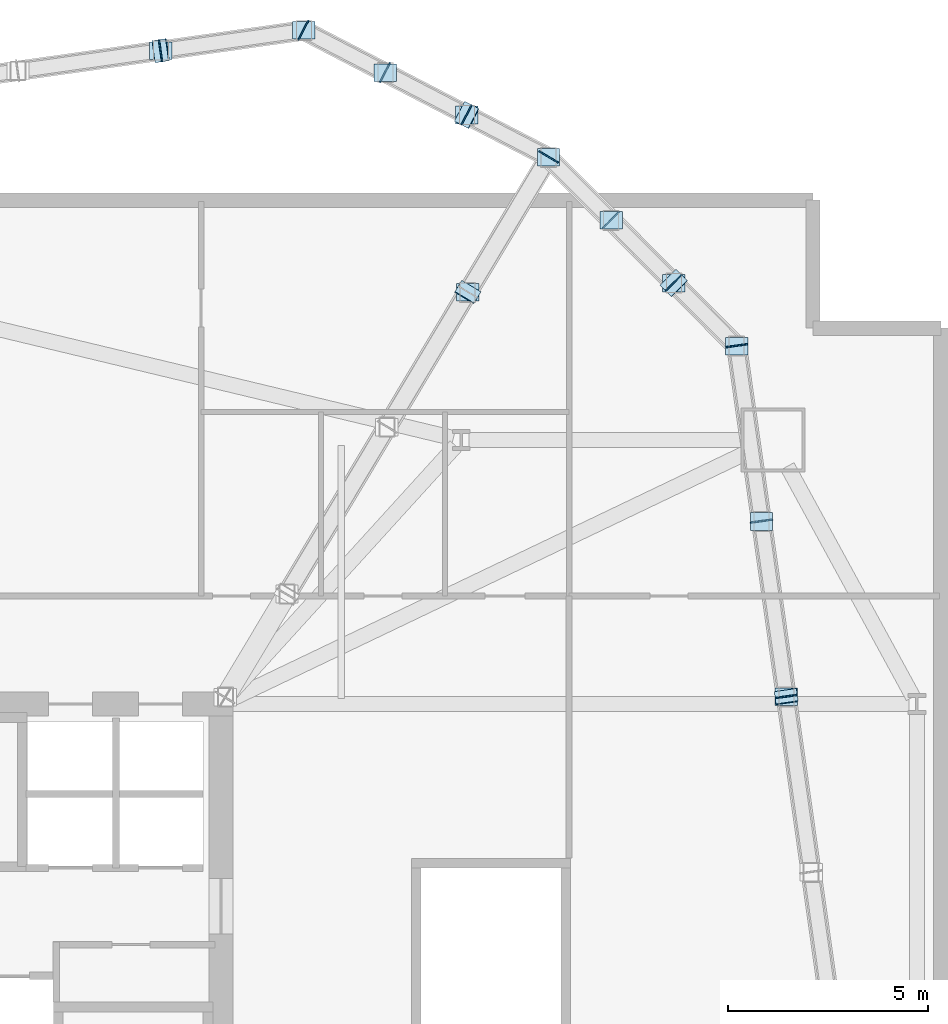
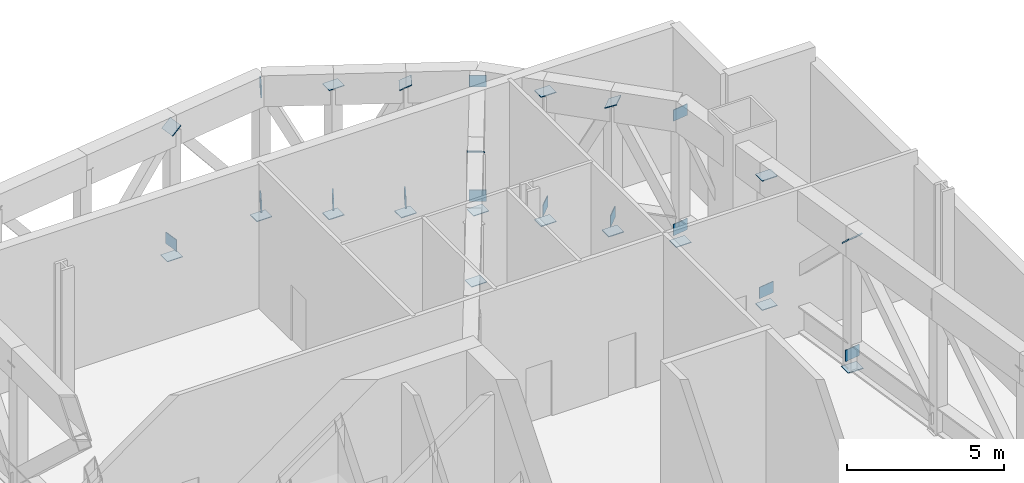
# One storey, part 9 of 15: 32 plates.
"""IFC4 building model written with IfcOpenShell, lengths in metres."""

from ifc_helpers import new_model, si_unit, direction, frame, origin, origin_2d, place, context, subcontext, project, spatial, rectangle, extrude, source, transform, mapped, material, layer, layer_set, type_object, element, save


model = new_model("IFC4")

# Units and contexts
model_context = context("Model", 3, precision=1e-05, world=origin(), true_north=direction((0.0, 1.0)))
body_context = subcontext(model_context, "Body", "Model", "MODEL_VIEW")
ifc_project = project(units=[si_unit("LENGTHUNIT", "METRE"), si_unit("AREAUNIT", "SQUARE_METRE"), si_unit("VOLUMEUNIT", "CUBIC_METRE"), si_unit("PLANEANGLEUNIT", "RADIAN"), si_unit("MASSUNIT", "GRAM", prefix="KILO")], contexts=[model_context])

# Site, building, storey
site_placement = place(None, origin())
site = spatial("IfcSite", under=ifc_project, at=site_placement, CompositionType="ELEMENT")
building_placement = place(site_placement, origin())
building = spatial("IfcBuilding", under=site, at=building_placement, Name="Haldenkirk Collegiate Tower", CompositionType="ELEMENT")
storey_placement = place(building_placement, frame((0.0, 0.0, 22.199951171875)))
storey = spatial("IfcBuildingStorey", under=building, at=storey_placement, Name="L04", CompositionType="ELEMENT", Elevation=22.199951171875)

# Plates
ifc_material = material(Name="Steel ASTM A572 Grade 50", Category="steel")
ifc_layer = layer(ifc_material, 0.028076171875)
ifc_layer_set = layer_set([ifc_layer], Name="Steel ASTM A572 Grade 50")
plate_type = type_object("IfcPlateType", Name="PLT-CAP-INT-560X440", PredefinedType="USERDEFINED", material=ifc_layer_set)
shared_shape = source(origin(), body_context, "Body", "SweptSolid", [
    extrude(rectangle(XDim=0.56005859375, YDim=0.43994140625, at=origin_2d()), origin(), (0.0, 0.0, 1.0), 0.028076171875),
])
for number, where, z_axis, x_axis, name in (
    (1, (51.1630859375, 44.293701171875, 4.98779296875), (0.340632968747, 0.568917947801, 0.748532931321), (-0.857970252393, 0.513699373184, 2.15075e-07), "Podium Transfer Truss Radial 03 web diagonal 3 end cap plate 2"),
    (2, (53.18310546875, 47.66748046875, 4.989990234375), (0.513699209717, 0.857970350266, 0.0), (-0.857970350266, 0.513699209717, 0.0), "Podium Transfer Truss Radial 03 top chord 4 end cap plate 2"),
    (3, (53.18310546875, 47.66748046875, 0.550048828125), (0.513699209717, 0.857970350266, 0.0), (-0.857970350266, 0.513699209717, 0.0), "Podium Transfer Truss Radial 03 bottom chord 4 end plate 2"),
    (4, (51.164306640625, 44.29541015625, 0.0029296875), (0.0, 0.0, -1.0), (1.0, 0.0, 0.0), "Podium Transfer Truss Radial 03 vertical post 4 end cap plate 1"),
    (5, (53.184814453125, 47.669921875, 0.0029296875), (0.0, 0.0, -1.0), (1.0, 0.0, 0.0), "Podium Transfer Truss Radial 03 vertical post 5 end cap plate 1"),
    (6, (59.133544921875, 34.17236328125, 0.550048828125), (-0.140034938186, 0.990146562933, 0.0), (-0.990146562933, -0.140034938186, 0.0), "Podium Transfer Truss Belt 07 bottom chord 1 end plate 2"),
    (7, (59.133544921875, 34.17333984375, 4.98779296875), (-0.098911000572, 0.699378004046, 0.707875004095), (-0.990146728188, -0.140033769709, 1.90372e-07), "Podium Transfer Truss Belt 07 web diagonal 1 end cap plate 2"),
    (8, (58.51318359375, 38.55908203125, 0.550048828125), (-0.140034938186, 0.990146562933, 0.0), (-0.990146562933, -0.140034938186, 0.0), "Podium Transfer Truss Belt 07 bottom chord 2 end plate 2"),
    (9, (57.892822265625, 42.94580078125, 4.989990234375), (-0.140033957796, 0.990146701587, 0.0), (-0.990146701587, -0.140033957796, 0.0), "Podium Transfer Truss Belt 07 top chord 3 end cap plate 2"),
    (10, (57.892822265625, 42.94580078125, 0.550048828125), (-0.140034938186, 0.990146562933, 0.0), (-0.990146562933, -0.140034938186, 0.0), "Podium Transfer Truss Belt 07 bottom chord 3 end plate 2"),
    (11, (59.133056640625, 34.17529296875, 0.0029296875), (0.0, 0.0, -1.0), (1.0, 0.0, 0.0), "Podium Transfer Truss Belt 07 vertical post 2 end cap plate 1"),
    (12, (58.5126953125, 38.56201171875, 0.0029296875), (0.0, 0.0, -1.0), (1.0, 0.0, 0.0), "Podium Transfer Truss Belt 07 vertical post 3 end cap plate 1"),
    (13, (58.5126953125, 38.56201171875, 4.98681640625), (0.0, 0.0, 1.0), (1.0, 0.0, 0.0), "Podium Transfer Truss Belt 07 vertical post 3 end cap plate 2"),
    (14, (57.892333984375, 42.94873046875, 0.0029296875), (0.0, 0.0, -1.0), (1.0, 0.0, 0.0), "Podium Transfer Truss Belt 07 vertical post 4 end cap plate 1"),
    (15, (56.3251953125, 44.520263671875, 0.550048828125), (-0.706079035329, 0.708133035431, 0.0), (-0.708133035431, -0.706079035329, 0.0), "Podium Transfer Truss Belt 08 bottom chord 1 end plate 2"),
    (16, (56.323974609375, 44.521484375, 4.9873046875), (-0.316041846074, 0.316968845623, 0.894230564471), (-0.708141125161, -0.706070921973, 2.86938e-07), "Podium Transfer Truss Belt 08 web diagonal 1 end cap plate 2"),
    (17, (54.756103515625, 46.093994140625, 0.550048828125), (-0.706079035329, 0.708133035431, 0.0), (-0.708133035431, -0.706079035329, 0.0), "Podium Transfer Truss Belt 08 bottom chord 2 end plate 2"),
    (18, (56.322998046875, 44.5224609375, 0.0029296875), (0.0, 0.0, -1.0), (1.0, 0.0, 0.0), "Podium Transfer Truss Belt 08 vertical post 2 end cap plate 1"),
    (19, (54.75390625, 46.09619140625, 0.0029296875), (0.0, 0.0, -1.0), (1.0, 0.0, 0.0), "Podium Transfer Truss Belt 08 vertical post 3 end cap plate 1"),
    (20, (54.75390625, 46.09619140625, 4.98681640625), (0.0, 0.0, 1.0), (1.0, 0.0, 0.0), "Podium Transfer Truss Belt 08 vertical post 3 end cap plate 2"),
    (21, (51.147705078125, 48.726806640625, 0.550048828125), (-0.887654406627, 0.460510210956, 0.0), (-0.460510210956, -0.887654406627, 0.0), "Podium Transfer Truss Belt 09 bottom chord 1 end plate 2"),
    (22, (51.146240234375, 48.7275390625, 4.9873046875), (-0.407975917862, 0.211648957389, 0.888121821194), (-0.460499014062, -0.887660215425, -1.67574e-07), "Podium Transfer Truss Belt 09 web diagonal 1 end cap plate 2"),
    (23, (49.108154296875, 49.78515625, 0.550048828125), (-0.887654406627, 0.460510210956, 0.0), (-0.460510210956, -0.887654406627, 0.0), "Podium Transfer Truss Belt 09 bottom chord 2 end plate 2"),
    (24, (47.068603515625, 50.84326171875, 4.989990234375), (-0.88766017549, 0.46049909104, 0.0), (-0.46049909104, -0.88766017549, 0.0), "Podium Transfer Truss Belt 09 top chord 3 end cap plate 2"),
    (25, (47.068603515625, 50.84326171875, 0.550048828125), (-0.887654406627, 0.460510210956, 0.0), (-0.460510210956, -0.887654406627, 0.0), "Podium Transfer Truss Belt 09 bottom chord 3 end plate 2"),
    (26, (51.14501953125, 48.72802734375, 0.0029296875), (0.0, 0.0, -1.0), (1.0, 0.0, 0.0), "Podium Transfer Truss Belt 09 vertical post 2 end cap plate 1"),
    (27, (49.10546875, 49.786376953125, 0.0029296875), (0.0, 0.0, -1.0), (1.0, 0.0, 0.0), "Podium Transfer Truss Belt 09 vertical post 3 end cap plate 1"),
    (28, (49.10546875, 49.786376953125, 4.98681640625), (0.0, 0.0, 1.0), (1.0, 0.0, 0.0), "Podium Transfer Truss Belt 09 vertical post 3 end cap plate 2"),
    (29, (47.06591796875, 50.844482421875, 0.0029296875), (0.0, 0.0, -1.0), (1.0, 0.0, 0.0), "Podium Transfer Truss Belt 09 vertical post 4 end cap plate 1"),
    (30, (43.495361328125, 50.33935546875, 0.550048828125), (-0.990146978894, -0.140031997015, 0.0), (0.140031997015, -0.990146978894, 0.0), "Podium Transfer Truss Belt 10 bottom chord 1 end plate 2"),
    (31, (43.494384765625, 50.339111328125, 4.987548828125), (-0.624542099176, -0.088329014026, 0.775980123224), (0.140036208697, -0.990146383245, -1.88192e-07), "Podium Transfer Truss Belt 10 web diagonal 1 end cap plate 2"),
    (32, (43.492431640625, 50.339111328125, 0.0029296875), (0.0, 0.0, -1.0), (1.0, 0.0, 0.0), "Podium Transfer Truss Belt 10 vertical post 2 end cap plate 1"),
):
    element("IfcPlate", number, at=place(storey_placement, frame(where, z_axis=z_axis, x_axis=x_axis)), inside=storey, type_object=plate_type, Name=name, ObjectType="END CAP PLATE", PredefinedType="USERDEFINED", context=body_context, shape_type="MappedRepresentation", body=[
        mapped(shared_shape, transform((0.0, 0.0, 0.0), x_axis=(1.0, 0.0, 0.0), y_axis=(0.0, 1.0, 0.0), z_axis=(0.0, 0.0, 1.0), scale=1.0)),
    ])

save(model, "model.ifc")
